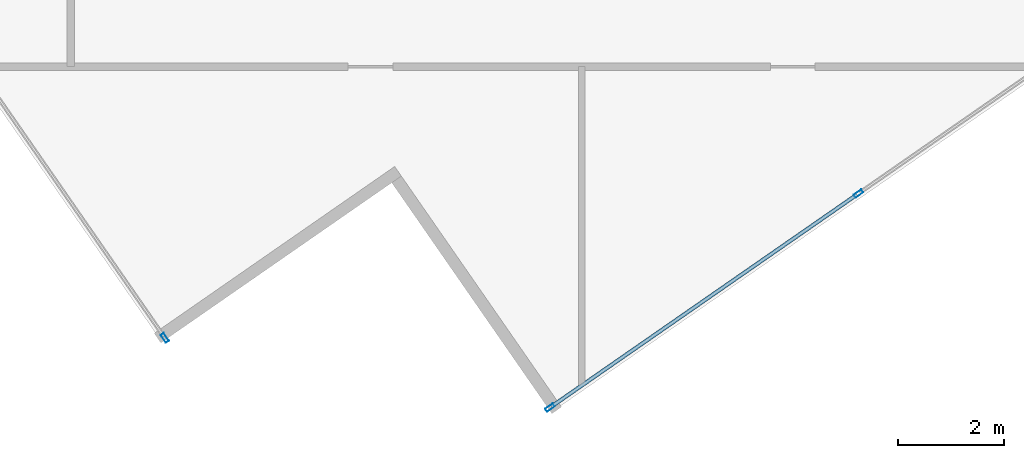
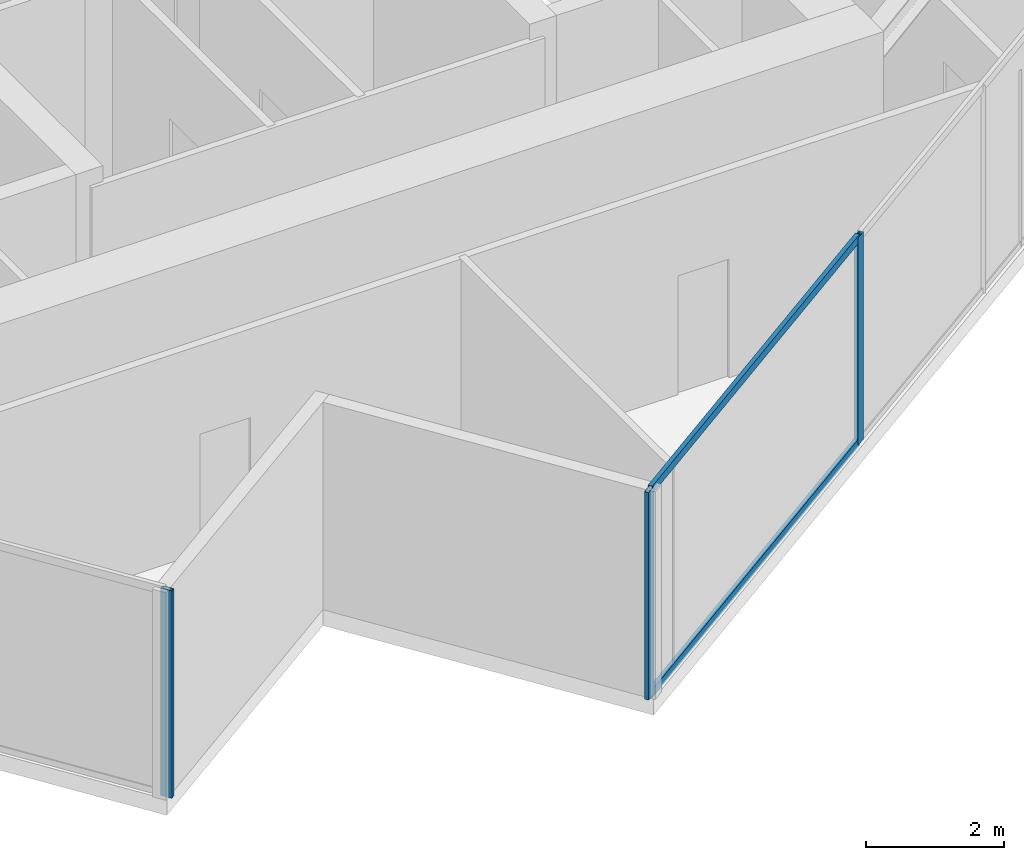
# One storey, part 3 of 21: 5 members, 2 elements without a shape of their own.
"""IFC4 building model written with IfcOpenShell, lengths in metres."""

from ifc_helpers import new_model, si_unit, direction, frame, origin, origin_2d, place, context, subcontext, project, spatial, hollow_rectangle, extrude, source, transform, mapped, material, material_profile, profile_set, type_object, type_shapes, element, aggregate, save


model = new_model("IFC4")

# Units and contexts
model_context = context("Model", 3, precision=1e-05, world=origin(), true_north=direction((0.0, 1.0)))
body_context = subcontext(model_context, "Body", "Model", "MODEL_VIEW")
ifc_project = project(units=[si_unit("LENGTHUNIT", "METRE"), si_unit("AREAUNIT", "SQUARE_METRE"), si_unit("VOLUMEUNIT", "CUBIC_METRE"), si_unit("PLANEANGLEUNIT", "RADIAN"), si_unit("MASSUNIT", "GRAM", prefix="KILO")], contexts=[model_context])

# Site, building, storey
site_placement = place(None, origin())
site = spatial("IfcSite", under=ifc_project, at=site_placement, CompositionType="ELEMENT")
building_placement = place(site_placement, origin())
building = spatial("IfcBuilding", under=site, at=building_placement, Name="Krantzveldt Concourse Tower", CompositionType="ELEMENT")
storey_placement = place(building_placement, frame((0.0, 0.0, 275.300048828125)))
storey = spatial("IfcBuildingStorey", under=building, at=storey_placement, Name="L67", CompositionType="ELEMENT", Elevation=275.300048828125)

# Curtain wall, member
ifc_material = material(Name="Anodised aluminium 6063-T6", Category="aluminium")
curtain_wall_type = type_object("IfcCurtainWallType", Name="CW4", PredefinedType="USERDEFINED", material=ifc_material)
curtain_wall_1_placement = place(storey_placement, origin())
curtain_wall_1 = element("IfcCurtainWall", 1, at=curtain_wall_1_placement, inside=storey, type_object=curtain_wall_type, Name="CW-L67-F08", ObjectType="UNITISED CURTAIN WALL", PredefinedType="USERDEFINED")
ifc_material_profile_1 = material_profile(ifc_material, hollow_rectangle(XDim=0.070068359375, YDim=0.179931640625, WallThickness=0.0048828125, at=origin_2d()), Name="Anodised aluminium 6063-T6", Category="aluminium")
ifc_profile_set_1 = profile_set([ifc_material_profile_1], Name="Anodised aluminium 6063-T6 - ALU-MULL 180x70x5")
member_type_1 = type_object("IfcMemberType", Name="CW-MUL-180", PredefinedType="MULLION", material=ifc_profile_set_1)
shared_shape_1 = source(origin(), body_context, "Body", "SweptSolid", [
    extrude(hollow_rectangle(XDim=0.070068359375, YDim=0.179931640625, WallThickness=0.0048828125, at=origin_2d()), origin(), (0.0, 0.0, 1.0), 3.669921875),
])
type_shapes(member_type_1, [shared_shape_1])
member_1_placement = place(storey_placement, frame((28.1005859375, 3.858642578125, 0.0), z_axis=(0.0, 0.0, 1.0), x_axis=(0.821647031735, 0.569996627395, 0.0)))
member_1 = element("IfcMember", 2, at=member_1_placement, type_object=member_type_1, Name="CW-Z56 mullion 5", PredefinedType="MULLION", context=body_context, shape_type="MappedRepresentation", body=[
    mapped(shared_shape_1, transform((0.0, 0.0, 0.0), x_axis=(1.0, 0.0, 0.0), y_axis=(0.0, 1.0, 0.0), z_axis=(0.0, 0.0, 1.0), scale=1.0)),
])
aggregate(curtain_wall_1, [member_1])

# Curtain wall, members
curtain_wall_2_placement = place(storey_placement, origin())
curtain_wall_2 = element("IfcCurtainWall", 3, at=curtain_wall_2_placement, inside=storey, type_object=curtain_wall_type, Name="CW-L67-F11", ObjectType="UNITISED CURTAIN WALL", PredefinedType="USERDEFINED")
member_2_placement = place(storey_placement, frame((35.39990234375, 2.53857421875, 0.0), z_axis=(0.0, 0.0, 1.0), x_axis=(-0.569996627395, 0.821647031735, 0.0)))
member_2 = element("IfcMember", 4, at=member_2_placement, type_object=member_type_1, Name="CW-Z56 mullion 1", PredefinedType="MULLION", context=body_context, shape_type="MappedRepresentation", body=[
    mapped(shared_shape_1, transform((0.0, 0.0, 0.0), x_axis=(1.0, 0.0, 0.0), y_axis=(0.0, 1.0, 0.0), z_axis=(0.0, 0.0, 1.0), scale=1.0)),
])
member_3_placement = place(storey_placement, frame((41.245849609375, 6.59423828125, 0.0), z_axis=(0.0, 0.0, 1.0), x_axis=(-0.569996627395, 0.821647031735, 0.0)))
member_3 = element("IfcMember", 5, at=member_3_placement, type_object=member_type_1, Name="CW-Z56 mullion 2", PredefinedType="MULLION", context=body_context, shape_type="MappedRepresentation", body=[
    mapped(shared_shape_1, transform((0.0, 0.0, 0.0), x_axis=(1.0, 0.0, 0.0), y_axis=(0.0, 1.0, 0.0), z_axis=(0.0, 0.0, 1.0), scale=1.0)),
])
ifc_material_profile_2 = material_profile(ifc_material, hollow_rectangle(XDim=0.070068359375, YDim=0.139892578125, WallThickness=0.0048828125, at=origin_2d()), Name="Anodised aluminium 6063-T6", Category="aluminium")
ifc_profile_set_2 = profile_set([ifc_material_profile_2], Name="Anodised aluminium 6063-T6 - ALU-TRAN 140x70x5")
member_type_2 = type_object("IfcMemberType", Name="CW-TRN-150", PredefinedType="USERDEFINED", material=ifc_profile_set_2)
shared_shape_2 = source(origin(), body_context, "Body", "SweptSolid", [
    extrude(hollow_rectangle(XDim=0.070068359375, YDim=0.139892578125, WallThickness=0.0048828125, at=origin_2d()), origin(), (0.0, 0.0, 1.0), 7.044921875),
])
type_shapes(member_type_2, [shared_shape_2])
member_4_placement = place(storey_placement, frame((35.4287109375, 2.55859375, 0.034912109375), z_axis=(0.821639123629, 0.570008026718, 0.0), x_axis=(-0.570008026718, 0.821639123629, 0.0)))
member_4 = element("IfcMember", 6, at=member_4_placement, type_object=member_type_2, Name="CW-Z56 transom 1.1", ObjectType="TRANSOM", PredefinedType="USERDEFINED", context=body_context, shape_type="MappedRepresentation", body=[
    mapped(shared_shape_2, transform((0.0, 0.0, 0.0), x_axis=(1.0, 0.0, 0.0), y_axis=(0.0, 1.0, 0.0), z_axis=(0.0, 0.0, 1.0), scale=1.0)),
])
member_5_placement = place(storey_placement, frame((35.4287109375, 2.55859375, 3.635009765625), z_axis=(0.821639123629, 0.570008026718, 0.0), x_axis=(-0.570008026718, 0.821639123629, 0.0)))
member_5 = element("IfcMember", 7, at=member_5_placement, type_object=member_type_2, Name="CW-Z56 transom 1.2", ObjectType="TRANSOM", PredefinedType="USERDEFINED", context=body_context, shape_type="MappedRepresentation", body=[
    mapped(shared_shape_2, transform((0.0, 0.0, 0.0), x_axis=(1.0, 0.0, 0.0), y_axis=(0.0, 1.0, 0.0), z_axis=(0.0, 0.0, 1.0), scale=1.0)),
])
aggregate(curtain_wall_2, [member_2, member_3, member_4, member_5])

save(model, "model.ifc")
